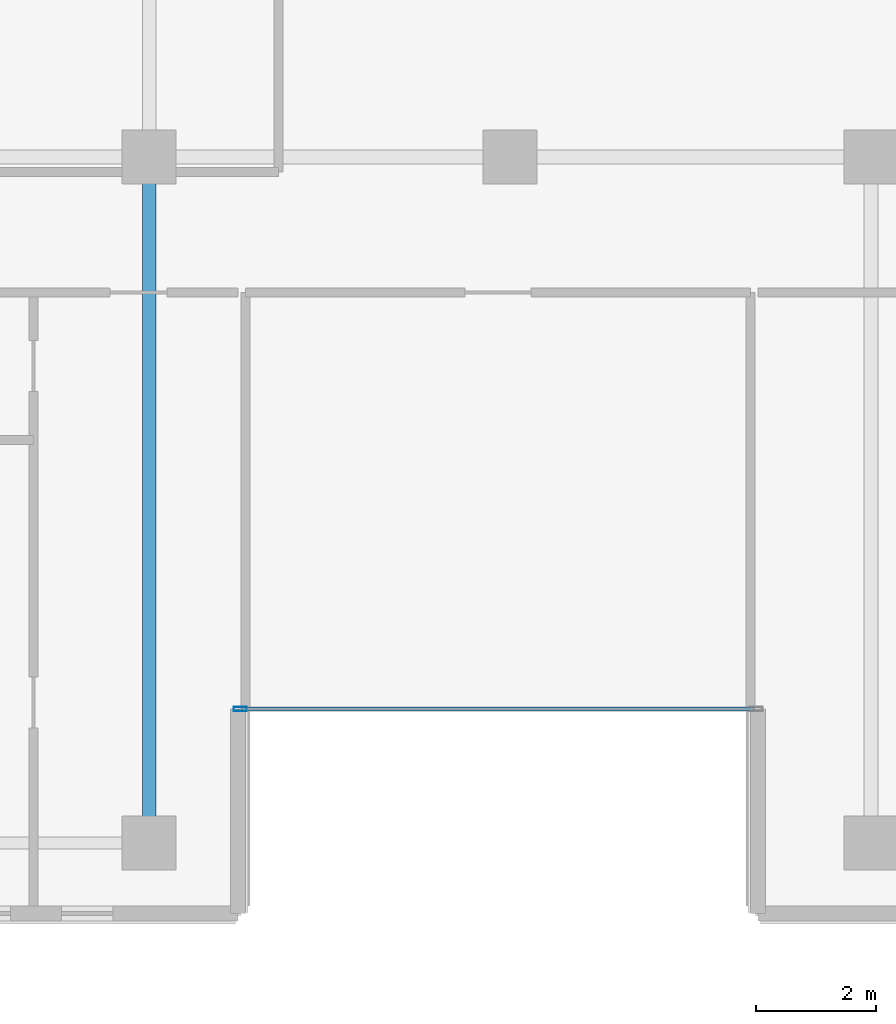
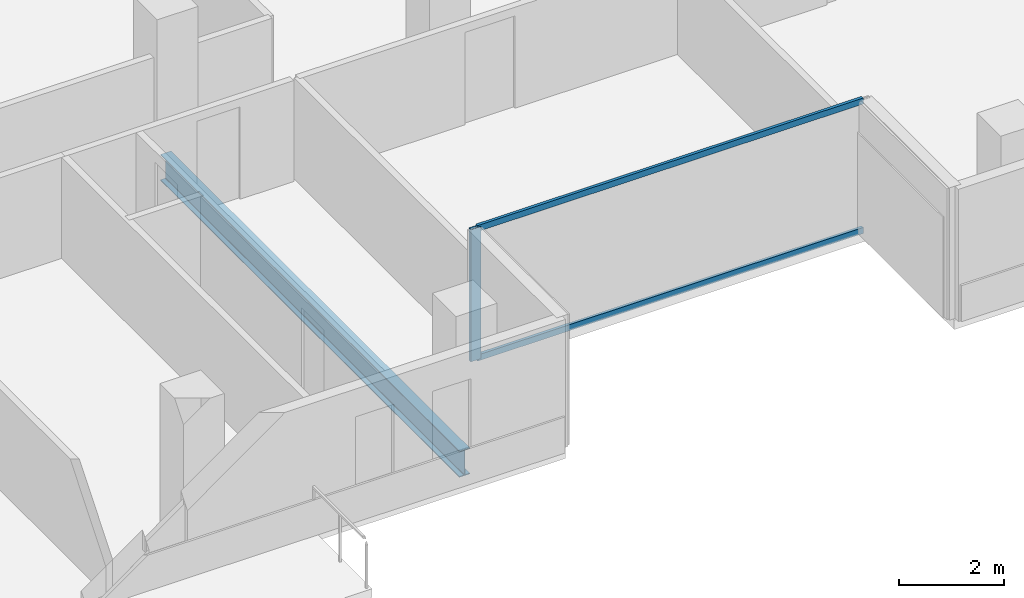
# One storey, part 4 of 29: 3 members, 1 beam, 1 element without a shape of its own.
"""IFC4 building model written with IfcOpenShell, lengths in metres."""

from ifc_helpers import new_model, si_unit, direction, frame, origin, origin_2d, place, context, subcontext, project, spatial, hollow_rectangle, i_section, extrude, material, layer, layer_set, material_profile, profile_set, type_object, element, aggregate, save


model = new_model("IFC4")

# Units and contexts
model_context = context("Model", 3, precision=1e-05, world=origin(), true_north=direction((0.0, 1.0)))
body_context = subcontext(model_context, "Body", "Model", "MODEL_VIEW")
ifc_project = project(units=[si_unit("LENGTHUNIT", "METRE"), si_unit("AREAUNIT", "SQUARE_METRE"), si_unit("VOLUMEUNIT", "CUBIC_METRE"), si_unit("PLANEANGLEUNIT", "RADIAN"), si_unit("MASSUNIT", "GRAM", prefix="KILO")], contexts=[model_context])

# Site, building, storey
site_placement = place(None, origin())
site = spatial("IfcSite", under=ifc_project, at=site_placement, CompositionType="ELEMENT")
building_placement = place(site_placement, origin())
building = spatial("IfcBuilding", under=site, at=building_placement, Name="Tanjung Sevakor Pilgrim Tower", CompositionType="ELEMENT")
storey_placement = place(building_placement, frame((0.0, 0.0, 148.5)))
storey = spatial("IfcBuildingStorey", under=building, at=storey_placement, Name="L41", CompositionType="ELEMENT", Elevation=148.5)

# Beam
ifc_material_1 = material(Name="Steel S355J2", Category="steel")
ifc_material_profile_1 = material_profile(ifc_material_1, i_section(OverallWidth=0.22900390625, OverallDepth=0.6123046875, WebThickness=0.011962890625, FlangeThickness=0.01953125, FilletRadius=0.0126953125, at=origin_2d()))
ifc_profile_set_1 = profile_set([ifc_material_profile_1], Name="Steel S355J2")
beam_type = type_object("IfcBeamType", Name="BM-B-G4-UB_610x229x125", PredefinedType="BEAM", material=ifc_profile_set_1)
beam_placement = place(storey_placement, frame((42.0, 13.199951171875, -0.526123046875), z_axis=(0.0, 1.0, 0.0), x_axis=(-1.0, 0.0, 0.0)))
element("IfcBeam", 1, at=beam_placement, inside=storey, type_object=beam_type, Name="L41 MAIN Girder 003", PredefinedType="BEAM", context=body_context, shape_type="SweptSolid", body=[
    extrude(i_section(OverallWidth=0.22900390625, OverallDepth=0.6123046875, WebThickness=0.011962890625, FlangeThickness=0.01953125, FilletRadius=0.0126953125, at=origin_2d()), origin(), (0.0, 0.0, 1.0), 11.400146484375),
])

# Curtain wall, members
ifc_material_2 = material(Name="Aluminium 6063-T6 and Low-E Glass", Category="aluminium")
ifc_layer = layer(ifc_material_2, 0.179931640625)
ifc_layer_set = layer_set([ifc_layer], Name="CW-SYS-CLEFT")
curtain_wall_type = type_object("IfcCurtainWallType", Name="CW-SYS-CLEFT", PredefinedType="NOTDEFINED", material=ifc_layer_set)
curtain_wall_placement = place(storey_placement, origin())
curtain_wall = element("IfcCurtainWall", 2, at=curtain_wall_placement, inside=storey, type_object=curtain_wall_type, Name="L41 Curtain Wall CW-CLF-L41-2", PredefinedType="NOTDEFINED")
ifc_material_3 = material(Name="Aluminium 6063-T6", Category="aluminium")
ifc_material_profile_2 = material_profile(ifc_material_3, hollow_rectangle(XDim=0.074951171875, YDim=0.219970703125, WallThickness=0.0048828125, at=origin_2d()))
ifc_profile_set_2 = profile_set([ifc_material_profile_2], Name="Aluminium 6063-T6")
member_type_1 = type_object("IfcMemberType", Name="TYPE-CWM-2", PredefinedType="MULLION", material=ifc_profile_set_2)
member_1_placement = place(storey_placement, frame((43.512451171875, 15.425048828125, 0.0), z_axis=(0.0, 0.0, 1.0), x_axis=(0.0, 1.0, 0.0)))
member_1 = element("IfcMember", 3, at=member_1_placement, type_object=member_type_1, Name="CW-CLF mullion 1", PredefinedType="MULLION", context=body_context, shape_type="SweptSolid", body=[
    extrude(hollow_rectangle(XDim=0.074951171875, YDim=0.219970703125, WallThickness=0.0048828125, at=origin_2d()), origin(), (0.0, 0.0, 1.0), 3.080078125),
])
ifc_material_4 = material(Name="Aluminium 6063-T6", Category="aluminium")
ifc_material_profile_3 = material_profile(ifc_material_4, hollow_rectangle(XDim=0.06494140625, YDim=0.139892578125, WallThickness=0.00390625, at=origin_2d()))
ifc_profile_set_3 = profile_set([ifc_material_profile_3], Name="Aluminium 6063-T6")
member_type_2 = type_object("IfcMemberType", Name="TYPE-CWT-1", PredefinedType="USERDEFINED", material=ifc_profile_set_3)
member_2_placement = place(storey_placement, frame((43.550048828125, 15.425048828125, 0.032470703125), z_axis=(1.0, 0.0, 0.0), x_axis=(0.0, 1.0, 0.0)))
member_2 = element("IfcMember", 4, at=member_2_placement, type_object=member_type_2, Name="CW-CLF transom 1.1", ObjectType="TRANSOM", PredefinedType="USERDEFINED", context=body_context, shape_type="SweptSolid", body=[
    extrude(hollow_rectangle(XDim=0.06494140625, YDim=0.139892578125, WallThickness=0.00390625, at=origin_2d()), origin(), (0.0, 0.0, 1.0), 8.5),
])
member_3_placement = place(storey_placement, frame((43.550048828125, 15.425048828125, 3.047607421875), z_axis=(1.0, 0.0, 0.0), x_axis=(0.0, 1.0, 0.0)))
member_3 = element("IfcMember", 5, at=member_3_placement, type_object=member_type_2, Name="CW-CLF transom 1.2", ObjectType="TRANSOM", PredefinedType="USERDEFINED", context=body_context, shape_type="SweptSolid", body=[
    extrude(hollow_rectangle(XDim=0.06494140625, YDim=0.139892578125, WallThickness=0.00390625, at=origin_2d()), origin(), (0.0, 0.0, 1.0), 8.5),
])
aggregate(curtain_wall, [member_1, member_2, member_3])

save(model, "model.ifc")
